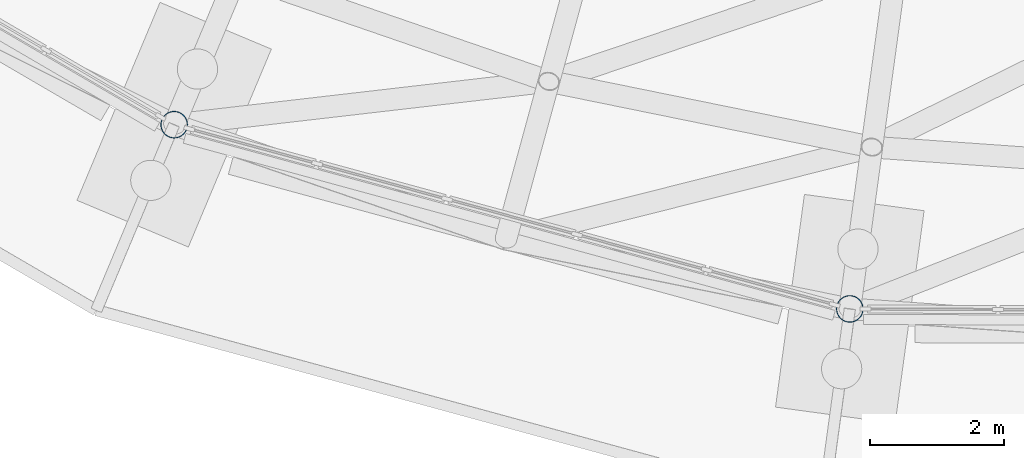
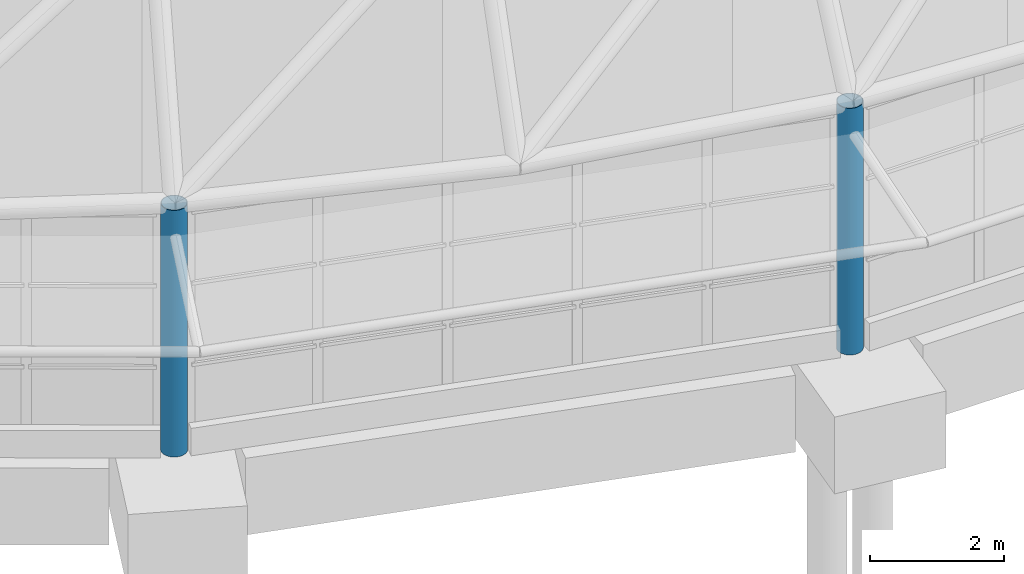
# One storey, part 19 of 226: 2 columns.
"""IFC4 building model written with IfcOpenShell, lengths in metres."""

from ifc_helpers import new_model, si_unit, direction, frame, origin, origin_2d, place, context, subcontext, project, spatial, hollow_circle, extrude, material, material_profile, profile_set, type_object, element, save


model = new_model("IFC4")

# Units and contexts
model_context = context("Model", 3, precision=1e-05, world=origin(), true_north=direction((0.0, 1.0)))
body_context = subcontext(model_context, "Body", "Model", "MODEL_VIEW")
ifc_project = project(units=[si_unit("LENGTHUNIT", "METRE"), si_unit("AREAUNIT", "SQUARE_METRE"), si_unit("VOLUMEUNIT", "CUBIC_METRE"), si_unit("PLANEANGLEUNIT", "RADIAN"), si_unit("MASSUNIT", "GRAM", prefix="KILO")], contexts=[model_context])

# Site, building, storey
site_placement = place(None, origin())
site = spatial("IfcSite", under=ifc_project, at=site_placement, CompositionType="ELEMENT")
building_placement = place(site_placement, origin())
building = spatial("IfcBuilding", under=site, at=building_placement, Name="Ceibo Conservatory and Research Tower", CompositionType="ELEMENT")
storey_placement = place(building_placement, origin())
storey = spatial("IfcBuildingStorey", under=building, at=storey_placement, Name="L00", CompositionType="ELEMENT", Elevation=0.0)

# Columns
ifc_material = material(Name="Steel ASTM A500 Gr C", Category="steel")
ifc_material_profile = material_profile(ifc_material, hollow_circle(Radius=0.203125, WallThickness=0.0126953125, at=origin_2d()), Name="CHS column 406.4x12.70")
ifc_profile_set = profile_set([ifc_material_profile], Name="Steel ASTM A500 Gr C")
column_type = type_object("IfcColumnType", Name="CHS column 406.4x12.70", PredefinedType="COLUMN", material=ifc_profile_set)
for number, where, z_axis, x_axis, name in (
    (1, (140.531494140625, 71.112060546875, 0.0), (0.0, 0.0, 1.0), (1.0, 0.0, 0.0), "Drum column A-DC17"),
    (2, (150.60595703125, 68.365478515625, 0.0), (0.0, 0.0, 1.0), (1.0, 0.0, 0.0), "Drum column A-DC18"),
):
    element("IfcColumn", number, at=place(storey_placement, frame(where, z_axis=z_axis, x_axis=x_axis)), inside=storey, type_object=column_type, Name=name, PredefinedType="COLUMN", context=body_context, shape_type="SweptSolid", body=[
        extrude(hollow_circle(Radius=0.203125, WallThickness=0.0126953125, at=origin_2d()), origin(), (0.0, 0.0, 1.0), 4.5),
    ])

save(model, "model.ifc")
